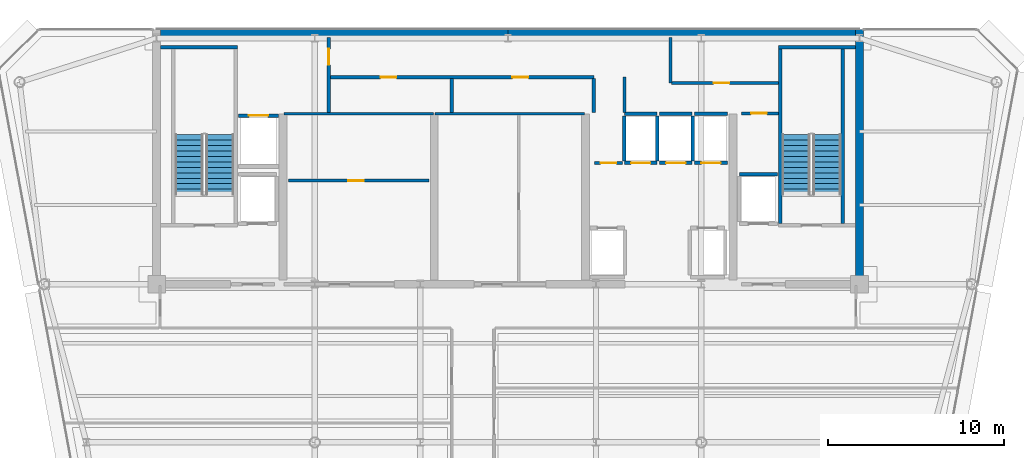
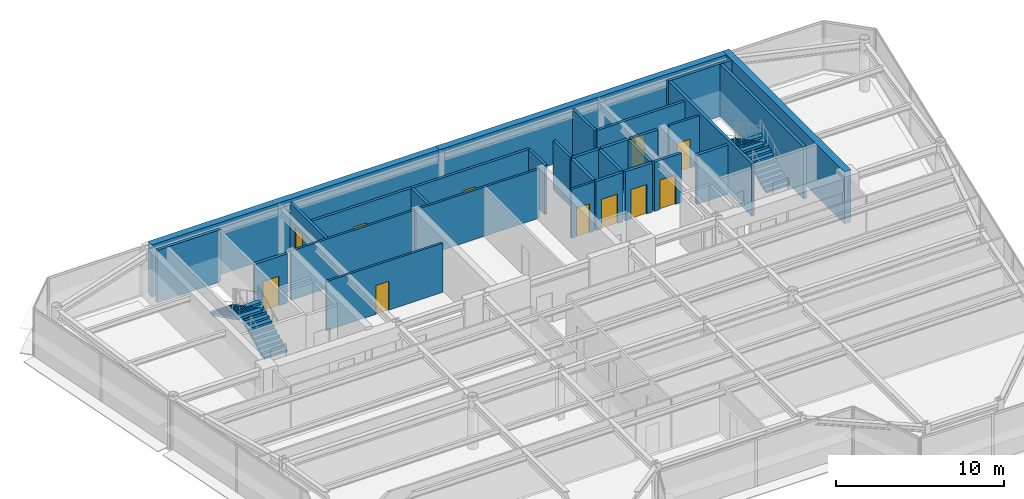
# One storey, part 11 of 18: 30 walls, 11 doors, 4 stair flights, 11 openings, 2 elements without a shape of their own.
"""IFC4 building model written with IfcOpenShell, lengths in metres."""

import ifcopenshell
import ifcopenshell.guid

model = None  # the IFC model being written
_history = None  # IfcOwnerHistory: only IFC2X3 demands one
_inside = {}  # id of a spatial element -> (the spatial element, [elements in it])
_under = {}  # id of a project, library or spatial element -> (it, [spatial elements below it])
_declared = {}  # id of a project -> (the project, [libraries it declares])
_typed = {}  # id of a type object -> (the type object, [elements of that type])
_made_of = {}  # id of a material, layer set ... -> (it, [elements and type objects made of it])


def new_model(schema):
    """Start an empty IFC model of exactly this schema.

    Asked for "IFC4X3", IfcOpenShell would pick the latest addendum, in which some entities
    have other attributes; the version numbers below select the first issue.
    IFC2X3 requires an IfcOwnerHistory on every rooted entity: one is made here for all.
    """
    global model, _history
    if schema == "IFC4X3":
        model = ifcopenshell.file(schema_version=(4, 3, 0, 0))
    else:
        model = ifcopenshell.file(schema=schema)
    _inside.clear()
    _under.clear()
    _declared.clear()
    _typed.clear()
    _made_of.clear()
    _history = None
    if model.schema == "IFC2X3":
        org = make("IfcOrganization", Name="unknown")
        user = make(
            "IfcPersonAndOrganization",
            ThePerson=make("IfcPerson", FamilyName="unknown"),
            TheOrganization=org,
        )
        app = make(
            "IfcApplication",
            ApplicationDeveloper=org,
            Version="unknown",
            ApplicationFullName="unknown",
            ApplicationIdentifier="unknown",
        )
        _history = make(
            "IfcOwnerHistory",
            OwningUser=user,
            OwningApplication=app,
            ChangeAction="ADDED",
            CreationDate=0,
        )
    return model


def make(cls, **values):
    """One entity of the class cls with the attributes given. An attribute that is None is left unset."""
    return model.create_entity(
        cls, **{name: value for name, value in values.items() if value is not None}
    )


def rooted(cls, **values):
    """An entity with a GlobalId (a new one), such as an element, a storey or a relation."""
    return make(cls, GlobalId=ifcopenshell.guid.new(), OwnerHistory=_history, **values)


def si_unit(unit_type, name, prefix=None):
    """IfcSIUnit, for example si_unit("LENGTHUNIT", "METRE", prefix="MILLI")."""
    return make("IfcSIUnit", UnitType=unit_type, Prefix=prefix, Name=name)


def assignment(units):
    """IfcUnitAssignment: the units of a project."""
    return None if units is None else make("IfcUnitAssignment", Units=units)


def point(xyz):
    """IfcCartesianPoint."""
    return None if xyz is None else make("IfcCartesianPoint", Coordinates=xyz)


def direction(xyz):
    """IfcDirection."""
    return None if xyz is None else make("IfcDirection", DirectionRatios=xyz)


def frame(location, z_axis=None, x_axis=None):
    """IfcAxis2Placement3D, a coordinate frame: its origin and axes. An axis left out is left unset."""
    return make(
        "IfcAxis2Placement3D",
        Location=point(location),
        Axis=direction(z_axis),
        RefDirection=direction(x_axis),
    )


def frame_2d(location, x_axis=None):
    """IfcAxis2Placement2D, a coordinate frame in the plane: its origin and x axis."""
    return make(
        "IfcAxis2Placement2D", Location=point(location), RefDirection=direction(x_axis)
    )


def origin():
    """The frame at (0, 0, 0) with its axes left unset."""
    return frame((0.0, 0.0, 0.0))


def place(relative_to, where):
    """IfcLocalPlacement: puts the frame where relative to a parent placement (None: the world)."""
    return make(
        "IfcLocalPlacement", PlacementRelTo=relative_to, RelativePlacement=where
    )


def context(
    kind, dimensions, precision=None, world=None, true_north=None, identifier=None
):
    """IfcGeometricRepresentationContext, for example the 3D "Model" context."""
    return make(
        "IfcGeometricRepresentationContext",
        ContextIdentifier=identifier,
        ContextType=kind,
        CoordinateSpaceDimension=dimensions,
        Precision=precision,
        WorldCoordinateSystem=world,
        TrueNorth=true_north,
    )


def subcontext(parent, identifier, kind, view, scale=None):
    """IfcGeometricRepresentationSubContext, for example "Body" below "Model"."""
    return make(
        "IfcGeometricRepresentationSubContext",
        ContextIdentifier=identifier,
        ContextType=kind,
        ParentContext=parent,
        TargetScale=scale,
        TargetView=view,
    )


def project(units=None, contexts=None):
    """IfcProject with its units and contexts."""
    return rooted(
        "IfcProject",
        Name="project",
        RepresentationContexts=contexts,
        UnitsInContext=assignment(units),
    )


def spatial(cls, under=None, at=None, **own):
    """A site, building, storey or space (cls), placed at a placement, below another one or the project."""
    s = rooted(cls, ObjectPlacement=at, **own)
    if under is not None:
        _under.setdefault(under.id(), (under, []))[1].append(s)
    return s


def polyline(points):
    """IfcPolyline through the points."""
    return make("IfcPolyline", Points=[point(p) for p in points])


def profile(cls, at=None, kind="AREA", **sizes):
    """A parametric profile (cls). Its sizes go by their IFC names, for example OverallWidth=200.0."""
    return make(cls, ProfileType=kind, Position=at, **sizes)


def rectangle(**sizes):
    """IfcRectangleProfileDef."""
    return profile("IfcRectangleProfileDef", **sizes)


def outline(outer, holes=None, kind="AREA"):
    """IfcArbitraryClosedProfileDef: a profile drawn as a closed curve; with holes, ...WithVoids."""
    if holes is None:
        return make("IfcArbitraryClosedProfileDef", ProfileType=kind, OuterCurve=outer)
    return make(
        "IfcArbitraryProfileDefWithVoids",
        ProfileType=kind,
        OuterCurve=outer,
        InnerCurves=holes,
    )


def extrude(swept, where, along, depth):
    """IfcExtrudedAreaSolid: the profile swept, set in the frame where, extruded along a direction by depth."""
    return make(
        "IfcExtrudedAreaSolid",
        SweptArea=swept,
        Position=where,
        ExtrudedDirection=direction(along),
        Depth=depth,
    )


def shape(context_of_items, identifier, shape_type, items):
    """IfcShapeRepresentation: the items that make up one representation, for example the "Body"."""
    return make(
        "IfcShapeRepresentation",
        ContextOfItems=context_of_items,
        RepresentationIdentifier=identifier,
        RepresentationType=shape_type,
        Items=items,
    )


def source(mapping_origin, context_of_items, identifier, shape_type, items):
    """IfcRepresentationMap: a shape defined once, which mapped items show again and again."""
    return make(
        "IfcRepresentationMap",
        MappingOrigin=mapping_origin,
        MappedRepresentation=shape(context_of_items, identifier, shape_type, items),
    )


def transform(
    local_origin,
    x_axis=None,
    y_axis=None,
    z_axis=None,
    scale=None,
    scale2=None,
    scale3=None,
    uniform=True,
):
    """IfcCartesianTransformationOperator3D, or its non-uniform kind. x_axis, y_axis, z_axis: its Axis1, 2, 3."""
    if uniform:
        return make(
            "IfcCartesianTransformationOperator3D",
            Axis1=direction(x_axis),
            Axis2=direction(y_axis),
            LocalOrigin=point(local_origin),
            Scale=scale,
            Axis3=direction(z_axis),
        )
    return make(
        "IfcCartesianTransformationOperator3DnonUniform",
        Axis1=direction(x_axis),
        Axis2=direction(y_axis),
        LocalOrigin=point(local_origin),
        Scale=scale,
        Axis3=direction(z_axis),
        Scale2=scale2,
        Scale3=scale3,
    )


def mapped(mapping_source, mapping_target):
    """IfcMappedItem: shows the shape of a source again, moved by a transform."""
    return make(
        "IfcMappedItem", MappingSource=mapping_source, MappingTarget=mapping_target
    )


def material(Name=None, Category=None):
    """IfcMaterial."""
    return make("IfcMaterial", Name=Name, Category=Category)


def layer(
    of_material, thickness, ventilated=None, Name=None, Category=None, Priority=None
):
    """IfcMaterialLayer: one layer of a wall or slab, of a material (None: an air gap)."""
    return make(
        "IfcMaterialLayer",
        Material=of_material,
        LayerThickness=thickness,
        IsVentilated=ventilated,
        Name=Name,
        Category=Category,
        Priority=Priority,
    )


def layer_set(layers, Name=None):
    """IfcMaterialLayerSet."""
    return make("IfcMaterialLayerSet", MaterialLayers=layers, LayerSetName=Name)


def made_of(thing, what):
    """Note that an element or type object is made of a material, layer set ...; save() writes the relation."""
    if what is not None:
        _made_of.setdefault(what.id(), (what, []))[1].append(thing)
    return thing


def type_object(cls, material=None, **own):
    """A type object (cls), such as IfcWallType, which elements share."""
    return made_of(rooted(cls, **own), material)


def element(
    cls,
    number,
    at=None,
    inside=None,
    cuts=None,
    type_object=None,
    material=None,
    context=None,
    identifier="Body",
    shape_type=None,
    held_by="IfcProductDefinitionShape",
    body=None,
    shapes=None,
    **own,
):
    """One element of the class cls, such as IfcWall. Its Tag is "e" and its number.

    at: its placement. inside: the storey or other place that contains it. cuts: it is an
    opening in that element (IfcRelVoidsElement). A single representation is given by context,
    identifier, shape_type and body (its items); several are given by shapes. held_by: the class
    of the entity that holds the representations. save() writes the other relations.
    """
    e = rooted(cls, Tag="e%d" % number, ObjectPlacement=at, **own)
    if body is not None:
        shapes = [shape(context, identifier, shape_type, body)]
    if shapes is not None:
        e.Representation = make(held_by, Representations=shapes)
    if inside is not None:
        _inside.setdefault(inside.id(), (inside, []))[1].append(e)
    if cuts is not None:
        rooted(
            "IfcRelVoidsElement", RelatingBuildingElement=cuts, RelatedOpeningElement=e
        )
    if type_object is not None:
        _typed.setdefault(type_object.id(), (type_object, []))[1].append(e)
    return made_of(e, material)


def fill(opening, filler):
    """IfcRelFillsElement: the door or window that sits in an opening."""
    return rooted(
        "IfcRelFillsElement",
        RelatingOpeningElement=opening,
        RelatedBuildingElement=filler,
    )


def aggregate(whole, parts):
    """IfcRelAggregates: a whole, such as a stair, and the parts it consists of."""
    return rooted("IfcRelAggregates", RelatingObject=whole, RelatedObjects=parts)


def save(model, path):
    """Write the relations noted so far, then the file.

    IfcRelAggregates (storeys below a building ...), IfcRelContainedInSpatialStructure (elements
    in a storey), IfcRelDefinesByType, IfcRelAssociatesMaterial and IfcRelDeclares: one each for
    every whole, place, type object, material and project.
    """
    for whole, parts in _under.values():
        aggregate(whole, parts)
    for where, things in _inside.values():
        rooted(
            "IfcRelContainedInSpatialStructure",
            RelatedElements=things,
            RelatingStructure=where,
        )
    for kind, things in _typed.values():
        rooted("IfcRelDefinesByType", RelatedObjects=things, RelatingType=kind)
    for what, things in _made_of.values():
        rooted("IfcRelAssociatesMaterial", RelatedObjects=things, RelatingMaterial=what)
    for by, libraries in _declared.values():
        rooted("IfcRelDeclares", RelatingContext=by, RelatedDefinitions=libraries)
    model.write(path)


model = new_model("IFC4")

# Units and contexts
model_context = context("Model", 3, precision=1e-05, world=origin(), true_north=direction((0.0, 1.0)))
body_context = subcontext(model_context, "Body", "Model", "MODEL_VIEW")
ifc_project = project(units=[si_unit("LENGTHUNIT", "METRE"), si_unit("AREAUNIT", "SQUARE_METRE"), si_unit("VOLUMEUNIT", "CUBIC_METRE"), si_unit("PLANEANGLEUNIT", "RADIAN"), si_unit("MASSUNIT", "GRAM", prefix="KILO")], contexts=[model_context])

# Site, building, storey
site_placement = place(None, origin())
site = spatial("IfcSite", under=ifc_project, at=site_placement, CompositionType="ELEMENT")
building_placement = place(site_placement, origin())
building = spatial("IfcBuilding", under=site, at=building_placement, Name="Vaeldorn Concourse Tower", CompositionType="ELEMENT")
storey_placement = place(building_placement, frame((0.0, 0.0, 261.199951171875)))
storey = spatial("IfcBuildingStorey", under=building, at=storey_placement, Name="L67", CompositionType="ELEMENT", Elevation=261.199951171875)

# Walls
ifc_material_1 = material(Name="Concrete C50/60", Category="concrete")
ifc_layer_1 = layer(ifc_material_1, 0.449951171875)
ifc_layer_set_1 = layer_set([ifc_layer_1], Name="Concrete C50/60")
wall_type_1 = type_object("IfcWallType", Name="WL-CORE-450", PredefinedType="SHEAR", material=ifc_layer_set_1)
for number, where, z_axis, x_axis, name in (
    (1, (14.22900390625, 50.77490234375, 0.0), (0.0, 0.0, 1.0), (1.0, 0.0, 0.0), "Rear Core Shear Wall L67 N1"),
    (2, (34.001953125, 50.77490234375, 0.0), (0.0, 0.0, 1.0), (1.0, 0.0, 0.0), "Rear Core Shear Wall L67 N2"),
):
    element("IfcWall", number, at=place(storey_placement, frame(where, z_axis=z_axis, x_axis=x_axis)), inside=storey, type_object=wall_type_1, Name=name, PredefinedType="SHEAR", context=body_context, shape_type="SweptSolid", body=[
        extrude(rectangle(XDim=19.76904296875, YDim=0.449951171875, at=frame_2d((9.884521484375, 0.0))), origin(), (0.0, 0.0, 1.0), 3.800048828125),
    ])
wall_1_placement = place(storey_placement, frame((54.0, 36.5, 0.0), z_axis=(0.0, 0.0, 1.0), x_axis=(0.0, 1.0, 0.0)))
element("IfcWall", 3, at=wall_1_placement, inside=storey, type_object=wall_type_1, Name="Rear Core Shear Wall L67 E1", PredefinedType="SHEAR", context=body_context, shape_type="SweptSolid", body=[
    extrude(rectangle(XDim=14.5, YDim=0.449951171875, at=frame_2d((7.25, 0.0))), origin(), (0.0, 0.0, 1.0), 3.800048828125),
])
ifc_material_2 = material(Name="Gypsum Board Partition", Category="gypsum")
ifc_layer_2 = layer(ifc_material_2, 0.14990234375)
ifc_layer_set_2 = layer_set([ifc_layer_2], Name="Gypsum Board Partition")
wall_type_2 = type_object("IfcWallType", Name="WL-PART-150", PredefinedType="PARTITIONING", material=ifc_layer_set_2)
wall_2_placement = place(storey_placement, frame((21.25, 46.199951171875, 0.0), z_axis=(0.0, 0.0, 1.0), x_axis=(1.0, 0.0, 0.0)))
element("IfcWall", 4, at=wall_2_placement, inside=storey, type_object=wall_type_2, Name="Interior Wall CW-L67-R1N", PredefinedType="PARTITIONING", context=body_context, shape_type="SweptSolid", body=[
    extrude(rectangle(XDim=8.5, YDim=0.14990234375, at=frame_2d((4.25, 0.0))), origin(), (0.0, 0.0, 1.0), 3.580078125),
])

# Wall, opening, door
wall_3_placement = place(storey_placement, frame((21.5, 42.39990234375, 0.0), z_axis=(0.0, 0.0, 1.0), x_axis=(1.0, 0.0, 0.0)))
wall_3 = element("IfcWall", 5, at=wall_3_placement, inside=storey, type_object=wall_type_2, Name="Interior Wall CW-L67-R1M", PredefinedType="PARTITIONING", context=body_context, shape_type="SweptSolid", body=[
    extrude(rectangle(XDim=8.0, YDim=0.14990234375, at=frame_2d((4.0, 0.0))), origin(), (0.0, 0.0, 1.0), 3.580078125),
])
opening_1_placement = place(wall_3_placement, frame((3.39990234375, 0.0, 0.0)))
opening_1 = element("IfcOpeningElement", 6, at=opening_1_placement, cuts=wall_3, Name="Opening D-02", PredefinedType="OPENING", context=body_context, shape_type="SweptSolid", body=[
    extrude(rectangle(XDim=0.89990234375, YDim=2.10009765625, at=frame_2d((0.449951171875, 1.050048828125))), frame((0.0, 0.0849609375, 0.0), z_axis=(0.0, -1.0, 0.0), x_axis=(1.0, 0.0, 0.0)), (0.0, 0.0, 1.0), 0.169921875),
])
ifc_material_3 = material(Name="Fire-Rated Timber Leaf", Category="wood")
door_type_1 = type_object("IfcDoorType", Name="DR-FD30-900", OperationType="NOTDEFINED", PredefinedType="DOOR", material=ifc_material_3)
shared_shape_1 = source(origin(), body_context, "Body", "SweptSolid", [
    extrude(rectangle(XDim=0.89990234375, YDim=2.10009765625, at=frame_2d((0.449951171875, 1.050048828125))), frame((0.0, 0.02490234375, 0.0), z_axis=(0.0, -1.0, 0.0), x_axis=(1.0, 0.0, 0.0)), (0.0, 0.0, 1.0), 0.050048828125),
])
door_1_placement = place(opening_1_placement, origin())
door_1 = element("IfcDoor", 7, at=door_1_placement, inside=storey, type_object=door_type_1, Name="Interior Door DR-L67-R1M", OperationType="SINGLE_SWING_RIGHT", OverallHeight=2.10009765625, OverallWidth=0.89990234375, PredefinedType="DOOR", context=body_context, shape_type="MappedRepresentation", body=[
    mapped(shared_shape_1, transform((0.0, 0.0, 0.0), scale=1.0)),
])
fill(opening_1, door_1)

# Wall
wall_4_placement = place(storey_placement, frame((29.85009765625, 46.199951171875, 0.0), z_axis=(0.0, 0.0, 1.0), x_axis=(1.0, 0.0, 0.0)))
element("IfcWall", 8, at=wall_4_placement, inside=storey, type_object=wall_type_2, Name="Interior Wall CW-L67-R2N", PredefinedType="PARTITIONING", context=body_context, shape_type="SweptSolid", body=[
    extrude(rectangle(XDim=8.5, YDim=0.14990234375, at=frame_2d((4.25, 0.0))), origin(), (0.0, 0.0, 1.0), 3.580078125),
])

# Wall, opening, door
wall_5_placement = place(storey_placement, frame((47.280029296875, 46.219970703125, 0.0), z_axis=(0.0, 0.0, 1.0), x_axis=(1.0, 0.0, 0.0)))
wall_5 = element("IfcWall", 9, at=wall_5_placement, inside=storey, type_object=wall_type_2, Name="Interior Wall CW-L67-CRSE-N", PredefinedType="PARTITIONING", context=body_context, shape_type="SweptSolid", body=[
    extrude(rectangle(XDim=2.099853515625, YDim=0.14990234375, at=frame_2d((1.0498046875, 0.0))), origin(), (0.0, 0.0, 1.0), 3.580078125),
])
opening_2_placement = place(wall_5_placement, frame((0.550048828125, 0.0, 0.0)))
opening_2 = element("IfcOpeningElement", 10, at=opening_2_placement, cuts=wall_5, Name="Opening D-02", PredefinedType="OPENING", context=body_context, shape_type="SweptSolid", body=[
    extrude(rectangle(XDim=0.89990234375, YDim=2.10009765625, at=frame_2d((0.449951171875, 1.050048828125))), frame((0.0, 0.0849609375, 0.0), z_axis=(0.0, -1.0, 0.0), x_axis=(1.0, 0.0, 0.0)), (0.0, 0.0, 1.0), 0.169921875),
])
door_2_placement = place(opening_2_placement, origin())
door_2 = element("IfcDoor", 11, at=door_2_placement, inside=storey, type_object=door_type_1, Name="Interior Door DR-L67-CRSE", OperationType="SINGLE_SWING_RIGHT", OverallHeight=2.10009765625, OverallWidth=0.89990234375, PredefinedType="DOOR", context=body_context, shape_type="MappedRepresentation", body=[
    mapped(shared_shape_1, transform((0.0, 0.0, 0.0), scale=1.0)),
])
fill(opening_2, door_2)

wall_6_placement = place(storey_placement, frame((38.919921875, 43.39990234375, 0.0), z_axis=(0.0, 0.0, 1.0), x_axis=(1.0, 0.0, 0.0)))
wall_6 = element("IfcWall", 12, at=wall_6_placement, inside=storey, type_object=wall_type_2, Name="Interior Wall CW-L67-CCLINK", PredefinedType="PARTITIONING", context=body_context, shape_type="SweptSolid", body=[
    extrude(rectangle(XDim=1.60009765625, YDim=0.14990234375, at=frame_2d((0.800048828125, 0.0))), origin(), (0.0, 0.0, 1.0), 3.580078125),
])
opening_3_placement = place(wall_6_placement, frame((0.35009765625, 0.0, 0.0)))
opening_3 = element("IfcOpeningElement", 13, at=opening_3_placement, cuts=wall_6, Name="Opening D-02", PredefinedType="OPENING", context=body_context, shape_type="SweptSolid", body=[
    extrude(rectangle(XDim=0.89990234375, YDim=2.10009765625, at=frame_2d((0.449951171875, 1.050048828125))), frame((0.0, 0.0849609375, 0.0), z_axis=(0.0, -1.0, 0.0), x_axis=(1.0, 0.0, 0.0)), (0.0, 0.0, 1.0), 0.169921875),
])
door_3_placement = place(opening_3_placement, origin())
door_3 = element("IfcDoor", 14, at=door_3_placement, inside=storey, type_object=door_type_1, Name="Interior Door DR-L67-CCLINK", OperationType="SINGLE_SWING_LEFT", OverallHeight=2.10009765625, OverallWidth=0.89990234375, PredefinedType="DOOR", context=body_context, shape_type="MappedRepresentation", body=[
    mapped(shared_shape_1, transform((0.0, 0.0, 0.0), scale=1.0)),
])
fill(opening_3, door_3)

# Wall, openings, doors
ifc_layer_3 = layer(ifc_material_2, 0.179931640625)
ifc_layer_set_3 = layer_set([ifc_layer_3], Name="Gypsum Board Partition")
wall_type_3 = type_object("IfcWallType", Name="WL-PLUMB-180", PredefinedType="PLUMBINGWALL", material=ifc_layer_set_3)
wall_7_placement = place(storey_placement, frame((23.85009765625, 48.280029296875, 0.0), z_axis=(0.0, 0.0, 1.0), x_axis=(1.0, 0.0, 0.0)))
wall_7 = element("IfcWall", 15, at=wall_7_placement, inside=storey, type_object=wall_type_3, Name="Interior Wall CW-L67-NS2W", PredefinedType="PLUMBINGWALL", context=body_context, shape_type="SweptSolid", body=[
    extrude(rectangle(XDim=15.02978515625, YDim=0.179931640625, at=frame_2d((7.514892578125, 0.0))), origin(), (0.0, 0.0, 1.0), 3.580078125),
])
opening_4_placement = place(wall_7_placement, frame((2.89990234375, 0.0, 0.0)))
opening_4 = element("IfcOpeningElement", 16, at=opening_4_placement, cuts=wall_7, Name="Opening D-03", PredefinedType="OPENING", context=body_context, shape_type="SweptSolid", body=[
    extrude(rectangle(XDim=0.89990234375, YDim=2.14990234375, at=frame_2d((0.449951171875, 1.074951171875))), frame((0.0, 0.10009765625, 0.0), z_axis=(0.0, -1.0, 0.0), x_axis=(1.0, 0.0, 0.0)), (0.0, 0.0, 1.0), 0.199951171875),
])
opening_5_placement = place(wall_7_placement, frame((10.39990234375, 0.0, 0.0)))
opening_5 = element("IfcOpeningElement", 17, at=opening_5_placement, cuts=wall_7, Name="Opening D-03", PredefinedType="OPENING", context=body_context, shape_type="SweptSolid", body=[
    extrude(rectangle(XDim=0.89990234375, YDim=2.14990234375, at=frame_2d((0.449951171875, 1.074951171875))), frame((0.0, 0.10009765625, 0.0), z_axis=(0.0, -1.0, 0.0), x_axis=(1.0, 0.0, 0.0)), (0.0, 0.0, 1.0), 0.199951171875),
])
ifc_material_4 = material(Name="Acoustic Bronze-Framed Glass Door", Category="glass")
door_type_2 = type_object("IfcDoorType", Name="DR-INT-900", OperationType="NOTDEFINED", PredefinedType="DOOR", material=ifc_material_4)
shared_shape_2 = source(origin(), body_context, "Body", "SweptSolid", [
    extrude(rectangle(XDim=0.89990234375, YDim=2.14990234375, at=frame_2d((0.449951171875, 1.074951171875))), frame((0.0, 0.02490234375, 0.0), z_axis=(0.0, -1.0, 0.0), x_axis=(1.0, 0.0, 0.0)), (0.0, 0.0, 1.0), 0.050048828125),
])
door_4_placement = place(opening_4_placement, origin())
door_4 = element("IfcDoor", 18, at=door_4_placement, inside=storey, type_object=door_type_2, Name="Interior Door DR-L67-CS2", OperationType="SINGLE_SWING_RIGHT", OverallHeight=2.14990234375, OverallWidth=0.89990234375, PredefinedType="DOOR", context=body_context, shape_type="MappedRepresentation", body=[
    mapped(shared_shape_2, transform((0.0, 0.0, 0.0), scale=1.0)),
])
fill(opening_4, door_4)
door_5_placement = place(opening_5_placement, origin())
door_5 = element("IfcDoor", 19, at=door_5_placement, inside=storey, type_object=door_type_2, Name="Interior Door DR-L67-CS3", OperationType="SINGLE_SWING_LEFT", OverallHeight=2.14990234375, OverallWidth=0.89990234375, PredefinedType="DOOR", context=body_context, shape_type="MappedRepresentation", body=[
    mapped(shared_shape_2, transform((0.0, 0.0, 0.0), scale=1.0)),
])
fill(opening_5, door_5)

# Wall, opening, door
wall_8_placement = place(storey_placement, frame((23.800048828125, 46.280029296875, 0.0), z_axis=(0.0, 0.0, 1.0), x_axis=(0.0, 1.0, 0.0)))
wall_8 = element("IfcWall", 20, at=wall_8_placement, inside=storey, type_object=wall_type_3, Name="Interior Wall CW-L67-SDIV1", PredefinedType="PLUMBINGWALL", context=body_context, shape_type="SweptSolid", body=[
    extrude(rectangle(XDim=4.25, YDim=0.179931640625, at=frame_2d((2.125, 0.0))), origin(), (0.0, 0.0, 1.0), 3.580078125),
])
opening_6_placement = place(wall_8_placement, frame((2.7099609375, 0.0, 0.0)))
opening_6 = element("IfcOpeningElement", 21, at=opening_6_placement, cuts=wall_8, Name="Opening D-03", PredefinedType="OPENING", context=body_context, shape_type="SweptSolid", body=[
    extrude(rectangle(XDim=0.89990234375, YDim=2.14990234375, at=frame_2d((0.449951171875, 1.074951171875))), frame((0.0, 0.10009765625, 0.0), z_axis=(0.0, -1.0, 0.0), x_axis=(1.0, 0.0, 0.0)), (0.0, 0.0, 1.0), 0.199951171875),
])
door_6_placement = place(opening_6_placement, origin())
door_6 = element("IfcDoor", 22, at=door_6_placement, inside=storey, type_object=door_type_2, Name="Interior Door DR-L67-CS1", OperationType="SINGLE_SWING_LEFT", OverallHeight=2.14990234375, OverallWidth=0.89990234375, PredefinedType="DOOR", context=body_context, shape_type="MappedRepresentation", body=[
    mapped(shared_shape_2, transform((0.0, 0.0, 0.0), scale=1.0)),
])
fill(opening_6, door_6)

# Walls
for number, where, z_axis, x_axis, name in (
    (23, (30.800048828125, 46.280029296875, 0.0), (0.0, 0.0, 1.0), (0.0, 1.0, 0.0), "Interior Wall CW-L67-SDIV2"),
    (24, (38.8798828125, 46.280029296875, 0.0), (0.0, 0.0, 1.0), (0.0, 1.0, 0.0), "Interior Wall CW-L67-SDIV4"),
):
    element("IfcWall", number, at=place(storey_placement, frame(where, z_axis=z_axis, x_axis=x_axis)), inside=storey, type_object=wall_type_3, Name=name, PredefinedType="PLUMBINGWALL", context=body_context, shape_type="SweptSolid", body=[
        extrude(rectangle(XDim=1.93994140625, YDim=0.179931640625, at=frame_2d((0.969970703125, 0.0))), origin(), (0.0, 0.0, 1.0), 3.580078125),
    ])
wall_9_placement = place(storey_placement, frame((40.6201171875, 46.280029296875, 0.0), z_axis=(0.0, 0.0, 1.0), x_axis=(0.0, 1.0, 0.0)))
element("IfcWall", 25, at=wall_9_placement, inside=storey, type_object=wall_type_3, Name="Interior Wall CW-L67-SDIV5", PredefinedType="PLUMBINGWALL", context=body_context, shape_type="SweptSolid", body=[
    extrude(rectangle(XDim=2.0, YDim=0.179931640625, at=frame_2d((1.0, 0.0))), origin(), (0.0, 0.0, 1.0), 3.580078125),
])
wall_10_placement = place(storey_placement, frame((43.25, 47.949951171875, 0.0), z_axis=(0.0, 0.0, 1.0), x_axis=(0.0, 1.0, 0.0)))
element("IfcWall", 26, at=wall_10_placement, inside=storey, type_object=wall_type_3, Name="Interior Wall CW-L67-SDIV6", PredefinedType="PLUMBINGWALL", context=body_context, shape_type="SweptSolid", body=[
    extrude(rectangle(XDim=2.580078125, YDim=0.179931640625, at=frame_2d((1.2900390625, 0.0))), origin(), (0.0, 0.0, 1.0), 3.580078125),
])

# Wall, opening, door
wall_11_placement = place(storey_placement, frame((43.300048828125, 47.949951171875, 0.0), z_axis=(0.0, 0.0, 1.0), x_axis=(1.0, 0.0, 0.0)))
wall_11 = element("IfcWall", 27, at=wall_11_placement, inside=storey, type_object=wall_type_3, Name="Interior Wall CW-L67-NS2EE", PredefinedType="PLUMBINGWALL", context=body_context, shape_type="SweptSolid", body=[
    extrude(rectangle(XDim=6.079833984375, YDim=0.179931640625, at=frame_2d((3.0400390625, 0.0))), origin(), (0.0, 0.0, 1.0), 3.580078125),
])
opening_7_placement = place(wall_11_placement, frame((2.39990234375, 0.0, 0.0)))
opening_7 = element("IfcOpeningElement", 28, at=opening_7_placement, cuts=wall_11, Name="Opening D-03", PredefinedType="OPENING", context=body_context, shape_type="SweptSolid", body=[
    extrude(rectangle(XDim=0.89990234375, YDim=2.14990234375, at=frame_2d((0.449951171875, 1.074951171875))), frame((0.0, 0.10009765625, 0.0), z_axis=(0.0, -1.0, 0.0), x_axis=(1.0, 0.0, 0.0)), (0.0, 0.0, 1.0), 0.199951171875),
])
door_7_placement = place(opening_7_placement, origin())
door_7 = element("IfcDoor", 29, at=door_7_placement, inside=storey, type_object=door_type_2, Name="Interior Door DR-L67-CS5", OperationType="SINGLE_SWING_RIGHT", OverallHeight=2.14990234375, OverallWidth=0.89990234375, PredefinedType="DOOR", context=body_context, shape_type="MappedRepresentation", body=[
    mapped(shared_shape_2, transform((0.0, 0.0, 0.0), scale=1.0)),
])
fill(opening_7, door_7)

# Walls
ifc_layer_4 = layer(ifc_material_1, 0.199951171875)
ifc_layer_set_4 = layer_set([ifc_layer_4], Name="Concrete C50/60")
wall_type_4 = type_object("IfcWallType", Name="WL-SHAFT-200", PredefinedType="SOLIDWALL", material=ifc_layer_set_4)
for number, where, z_axis, x_axis, name in (
    (30, (14.22509765625, 50.0, 0.0), (0.0, 0.0, 1.0), (1.0, 0.0, 0.0), "Stair Shaft Wall CW-L67-ST-1-N"),
    (31, (49.39990234375, 50.0, 0.0), (0.0, 0.0, 1.0), (1.0, 0.0, 0.0), "Stair Shaft Wall CW-L67-ST-2-N"),
):
    element("IfcWall", number, at=place(storey_placement, frame(where, z_axis=z_axis, x_axis=x_axis)), inside=storey, type_object=wall_type_4, Name=name, PredefinedType="SOLIDWALL", context=body_context, shape_type="SweptSolid", body=[
        extrude(rectangle(XDim=4.375, YDim=0.199951171875, at=frame_2d((2.1875, 0.0))), origin(), (0.0, 0.0, 1.0), 3.800048828125),
    ])
for number, where, z_axis, x_axis, name in (
    (32, (49.5, 39.9599609375, 0.0), (0.0, 0.0, 1.0), (0.0, 1.0, 0.0), "Stair Shaft Wall CW-L67-ST-2-W"),
    (33, (53.050048828125, 39.9599609375, 0.0), (0.0, 0.0, 1.0), (0.0, 1.0, 0.0), "Stair Shaft Wall CW-L67-ST-2-E"),
):
    element("IfcWall", number, at=place(storey_placement, frame(where, z_axis=z_axis, x_axis=x_axis)), inside=storey, type_object=wall_type_4, Name=name, PredefinedType="SOLIDWALL", context=body_context, shape_type="SweptSolid", body=[
        extrude(rectangle(XDim=9.929931640625, YDim=0.199951171875, at=frame_2d((4.96484375, 0.0))), origin(), (0.0, 0.0, 1.0), 3.800048828125),
    ])

# Wall, opening, door
wall_12_placement = place(storey_placement, frame((40.6201171875, 43.39990234375, 0.0), z_axis=(0.0, 0.0, 1.0), x_axis=(1.0, 0.0, 0.0)))
wall_12 = element("IfcWall", 34, at=wall_12_placement, inside=storey, type_object=wall_type_4, Name="Interior Wall CW-L67-LF-LF-15", PredefinedType="SOLIDWALL", context=body_context, shape_type="SweptSolid", body=[
    extrude(rectangle(XDim=1.85986328125, YDim=0.199951171875, at=frame_2d((0.929931640625, 0.0))), origin(), (0.0, 0.0, 1.0), 3.580078125),
])
opening_8_placement = place(wall_12_placement, frame((0.3798828125, 0.0, 0.0)))
opening_8 = element("IfcOpeningElement", 35, at=opening_8_placement, cuts=wall_12, Name="Opening LD-1", PredefinedType="OPENING", context=body_context, shape_type="SweptSolid", body=[
    extrude(rectangle(XDim=1.10009765625, YDim=2.14990234375, at=frame_2d((0.550048828125, 1.074951171875))), frame((0.0, 0.10986328125, 0.0), z_axis=(0.0, -1.0, 0.0), x_axis=(1.0, 0.0, 0.0)), (0.0, 0.0, 1.0), 0.219970703125),
])
ifc_material_5 = material(Name="Anodised Bronze Aluminium", Category="aluminium")
door_type_3 = type_object("IfcDoorType", Name="DR-LIFT-SLIDE-1100", OperationType="DOUBLE_DOOR_SLIDING", PredefinedType="DOOR", material=ifc_material_5)
shared_shape_3 = source(origin(), body_context, "Body", "SweptSolid", [
    extrude(rectangle(XDim=1.10009765625, YDim=2.14990234375, at=frame_2d((0.550048828125, 1.074951171875))), frame((0.0, 0.02490234375, 0.0), z_axis=(0.0, -1.0, 0.0), x_axis=(1.0, 0.0, 0.0)), (0.0, 0.0, 1.0), 0.050048828125),
])
door_8_placement = place(opening_8_placement, origin())
door_8 = element("IfcDoor", 36, at=door_8_placement, inside=storey, type_object=door_type_3, Name="Lift Landing Door LD-L67-LF-15", OperationType="DOUBLE_DOOR_SLIDING", OverallHeight=2.14990234375, OverallWidth=1.10009765625, PredefinedType="DOOR", context=body_context, shape_type="MappedRepresentation", body=[
    mapped(shared_shape_3, transform((0.0, 0.0, 0.0), scale=1.0)),
])
fill(opening_8, door_8)

# Walls
wall_13_placement = place(storey_placement, frame((40.6201171875, 46.199951171875, 0.0), z_axis=(0.0, 0.0, 1.0), x_axis=(1.0, 0.0, 0.0)))
element("IfcWall", 37, at=wall_13_placement, inside=storey, type_object=wall_type_4, Name="Interior Wall CW-L67-LFB-LF-15", PredefinedType="SOLIDWALL", context=body_context, shape_type="SweptSolid", body=[
    extrude(rectangle(XDim=1.85986328125, YDim=0.199951171875, at=frame_2d((0.929931640625, 0.0))), origin(), (0.0, 0.0, 1.0), 3.580078125),
])
for number, where, z_axis, x_axis, name in (
    (38, (40.60009765625, 43.52001953125, 0.0), (0.0, 0.0, 1.0), (0.0, 1.0, 0.0), "Interior Wall CW-L67-LFW-LF-15"),
    (39, (42.5, 43.52001953125, 0.0), (0.0, 0.0, 1.0), (0.0, 1.0, 0.0), "Interior Wall CW-L67-LFE-LF-15"),
):
    element("IfcWall", number, at=place(storey_placement, frame(where, z_axis=z_axis, x_axis=x_axis)), inside=storey, type_object=wall_type_4, Name=name, PredefinedType="SOLIDWALL", context=body_context, shape_type="SweptSolid", body=[
        extrude(rectangle(XDim=2.56005859375, YDim=0.199951171875, at=frame_2d((1.280029296875, 0.0))), origin(), (0.0, 0.0, 1.0), 3.580078125),
    ])

# Wall, opening, door
wall_14_placement = place(storey_placement, frame((42.6201171875, 43.39990234375, 0.0), z_axis=(0.0, 0.0, 1.0), x_axis=(1.0, 0.0, 0.0)))
wall_14 = element("IfcWall", 40, at=wall_14_placement, inside=storey, type_object=wall_type_4, Name="Interior Wall CW-L67-LF-LF-16", PredefinedType="SOLIDWALL", context=body_context, shape_type="SweptSolid", body=[
    extrude(rectangle(XDim=1.85986328125, YDim=0.199951171875, at=frame_2d((0.929931640625, 0.0))), origin(), (0.0, 0.0, 1.0), 3.580078125),
])
opening_9_placement = place(wall_14_placement, frame((0.3798828125, 0.0, 0.0)))
opening_9 = element("IfcOpeningElement", 41, at=opening_9_placement, cuts=wall_14, Name="Opening LD-1", PredefinedType="OPENING", context=body_context, shape_type="SweptSolid", body=[
    extrude(rectangle(XDim=1.10009765625, YDim=2.14990234375, at=frame_2d((0.550048828125, 1.074951171875))), frame((0.0, 0.10986328125, 0.0), z_axis=(0.0, -1.0, 0.0), x_axis=(1.0, 0.0, 0.0)), (0.0, 0.0, 1.0), 0.219970703125),
])
door_9_placement = place(opening_9_placement, origin())
door_9 = element("IfcDoor", 42, at=door_9_placement, inside=storey, type_object=door_type_3, Name="Lift Landing Door LD-L67-LF-16", OperationType="DOUBLE_DOOR_SLIDING", OverallHeight=2.14990234375, OverallWidth=1.10009765625, PredefinedType="DOOR", context=body_context, shape_type="MappedRepresentation", body=[
    mapped(shared_shape_3, transform((0.0, 0.0, 0.0), scale=1.0)),
])
fill(opening_9, door_9)

# Walls
wall_15_placement = place(storey_placement, frame((42.6201171875, 46.199951171875, 0.0), z_axis=(0.0, 0.0, 1.0), x_axis=(1.0, 0.0, 0.0)))
element("IfcWall", 43, at=wall_15_placement, inside=storey, type_object=wall_type_4, Name="Interior Wall CW-L67-LFB-LF-16", PredefinedType="SOLIDWALL", context=body_context, shape_type="SweptSolid", body=[
    extrude(rectangle(XDim=1.85986328125, YDim=0.199951171875, at=frame_2d((0.929931640625, 0.0))), origin(), (0.0, 0.0, 1.0), 3.580078125),
])
wall_16_placement = place(storey_placement, frame((44.5, 43.52001953125, 0.0), z_axis=(0.0, 0.0, 1.0), x_axis=(0.0, 1.0, 0.0)))
element("IfcWall", 44, at=wall_16_placement, inside=storey, type_object=wall_type_4, Name="Interior Wall CW-L67-LFE-LF-16", PredefinedType="SOLIDWALL", context=body_context, shape_type="SweptSolid", body=[
    extrude(rectangle(XDim=2.56005859375, YDim=0.199951171875, at=frame_2d((1.280029296875, 0.0))), origin(), (0.0, 0.0, 1.0), 3.580078125),
])

# Wall, opening, door
wall_17_placement = place(storey_placement, frame((44.6201171875, 43.39990234375, 0.0), z_axis=(0.0, 0.0, 1.0), x_axis=(1.0, 0.0, 0.0)))
wall_17 = element("IfcWall", 45, at=wall_17_placement, inside=storey, type_object=wall_type_4, Name="Interior Wall CW-L67-LF-LF-17", PredefinedType="SOLIDWALL", context=body_context, shape_type="SweptSolid", body=[
    extrude(rectangle(XDim=1.85986328125, YDim=0.199951171875, at=frame_2d((0.929931640625, 0.0))), origin(), (0.0, 0.0, 1.0), 3.580078125),
])
opening_10_placement = place(wall_17_placement, frame((0.3798828125, 0.0, 0.0)))
opening_10 = element("IfcOpeningElement", 46, at=opening_10_placement, cuts=wall_17, Name="Opening LD-1", PredefinedType="OPENING", context=body_context, shape_type="SweptSolid", body=[
    extrude(rectangle(XDim=1.10009765625, YDim=2.14990234375, at=frame_2d((0.550048828125, 1.074951171875))), frame((0.0, 0.10986328125, 0.0), z_axis=(0.0, -1.0, 0.0), x_axis=(1.0, 0.0, 0.0)), (0.0, 0.0, 1.0), 0.219970703125),
])
door_10_placement = place(opening_10_placement, origin())
door_10 = element("IfcDoor", 47, at=door_10_placement, inside=storey, type_object=door_type_3, Name="Lift Landing Door LD-L67-LF-17", OperationType="DOUBLE_DOOR_SLIDING", OverallHeight=2.14990234375, OverallWidth=1.10009765625, PredefinedType="DOOR", context=body_context, shape_type="MappedRepresentation", body=[
    mapped(shared_shape_3, transform((0.0, 0.0, 0.0), scale=1.0)),
])
fill(opening_10, door_10)

# Wall
wall_18_placement = place(storey_placement, frame((44.6201171875, 46.199951171875, 0.0), z_axis=(0.0, 0.0, 1.0), x_axis=(1.0, 0.0, 0.0)))
element("IfcWall", 48, at=wall_18_placement, inside=storey, type_object=wall_type_4, Name="Interior Wall CW-L67-LFB-LF-17", PredefinedType="SOLIDWALL", context=body_context, shape_type="SweptSolid", body=[
    extrude(rectangle(XDim=1.85986328125, YDim=0.199951171875, at=frame_2d((0.929931640625, 0.0))), origin(), (0.0, 0.0, 1.0), 3.580078125),
])

# Wall, opening, door
wall_19_placement = place(storey_placement, frame((18.669921875, 46.10009765625, 0.0), z_axis=(0.0, 0.0, 1.0), x_axis=(1.0, 0.0, 0.0)))
wall_19 = element("IfcWall", 49, at=wall_19_placement, inside=storey, type_object=wall_type_4, Name="Interior Wall CW-L67-LF-LF-SV1", PredefinedType="SOLIDWALL", context=body_context, shape_type="SweptSolid", body=[
    extrude(rectangle(XDim=2.260009765625, YDim=0.199951171875, at=frame_2d((1.1298828125, 0.0))), origin(), (0.0, 0.0, 1.0), 3.580078125),
])
opening_11_placement = place(wall_19_placement, frame((0.580078125, 0.0, 0.0)))
opening_11 = element("IfcOpeningElement", 50, at=opening_11_placement, cuts=wall_19, Name="Opening LD-1", PredefinedType="OPENING", context=body_context, shape_type="SweptSolid", body=[
    extrude(rectangle(XDim=1.10009765625, YDim=2.14990234375, at=frame_2d((0.550048828125, 1.074951171875))), frame((0.0, 0.10986328125, 0.0), z_axis=(0.0, -1.0, 0.0), x_axis=(1.0, 0.0, 0.0)), (0.0, 0.0, 1.0), 0.219970703125),
])
door_11_placement = place(opening_11_placement, origin())
door_11 = element("IfcDoor", 51, at=door_11_placement, inside=storey, type_object=door_type_3, Name="Lift Landing Door LD-L67-LF-SV1", OperationType="DOUBLE_DOOR_SLIDING", OverallHeight=2.14990234375, OverallWidth=1.10009765625, PredefinedType="DOOR", context=body_context, shape_type="MappedRepresentation", body=[
    mapped(shared_shape_3, transform((0.0, 0.0, 0.0), scale=1.0)),
])
fill(opening_11, door_11)

# Wall
wall_20_placement = place(storey_placement, frame((47.169921875, 42.75, 0.0), z_axis=(0.0, 0.0, 1.0), x_axis=(1.0, 0.0, 0.0)))
element("IfcWall", 52, at=wall_20_placement, inside=storey, type_object=wall_type_4, Name="Interior Wall CW-L67-LFB-LF-FF2", PredefinedType="SOLIDWALL", context=body_context, shape_type="SweptSolid", body=[
    extrude(rectangle(XDim=2.16015625, YDim=0.199951171875, at=frame_2d((1.080078125, 0.0))), origin(), (0.0, 0.0, 1.0), 3.580078125),
])

# Stair, stair flights
ifc_material_6 = material(Name="Precast concrete C40/50", Category="concrete")
stair_type = type_object("IfcStairType", Name="STR-DOG-24x158", PredefinedType="HALF_TURN_STAIR", material=ifc_material_6)
stair_1_placement = place(storey_placement, origin())
stair_1 = element("IfcStair", 53, at=stair_1_placement, inside=storey, type_object=stair_type, Name="L67 West Core Exit Stair ST-1", PredefinedType="HALF_TURN_STAIR")
stair_flight_type = type_object("IfcStairFlightType", Name="STF-STR-12x158", PredefinedType="STRAIGHT", material=ifc_material_6)
stair_flight_1_placement = place(storey_placement, frame((17.60009765625, 41.60009765625, 0.0), z_axis=(0.0, 0.0, 1.0), x_axis=(0.0, 1.0, 0.0)))
stair_flight_1 = element("IfcStairFlight", 54, at=stair_flight_1_placement, type_object=stair_flight_type, Name="ST-1 flight 1", NumberOfRisers=12, NumberOfTreads=11, PredefinedType="STRAIGHT", RiserHeight=0.158333333, TreadLength=0.31, context=body_context, shape_type="SweptSolid", body=[
    extrude(outline(polyline([(0.0, 0.0), (0.0, 0.158447265625), (0.31005859375, 0.158447265625), (0.31005859375, 0.316650390625), (0.6201171875, 0.316650390625), (0.6201171875, 0.47509765625), (0.929931640625, 0.47509765625), (0.929931640625, 0.63330078125), (1.239990234375, 0.63330078125), (1.239990234375, 0.791748046875), (1.550048828125, 0.791748046875), (1.550048828125, 0.949951171875), (1.860107421875, 0.949951171875), (1.860107421875, 1.1083984375), (2.169921875, 1.1083984375), (2.169921875, 1.2666015625), (2.47998046875, 1.2666015625), (2.47998046875, 1.425048828125), (2.7900390625, 1.425048828125), (2.7900390625, 1.583251953125), (3.10009765625, 1.583251953125), (3.10009765625, 1.74169921875), (3.409912109375, 1.74169921875), (3.409912109375, 1.89990234375), (3.409912109375, 1.5732421875), (0.32958984375, 0.0), (0.0, 0.0)])), frame((0.0, 0.800048828125, 0.0), z_axis=(0.0, -1.0, 0.0), x_axis=(1.0, 0.0, 0.0)), (0.0, 0.0, 1.0), 1.60009765625),
])
stair_flight_2_placement = place(storey_placement, frame((15.85009765625, 45.010009765625, 1.900146484375), z_axis=(0.0, 0.0, 1.0), x_axis=(0.0, -1.0, 0.0)))
stair_flight_2 = element("IfcStairFlight", 55, at=stair_flight_2_placement, type_object=stair_flight_type, Name="ST-1 flight 2", NumberOfRisers=12, NumberOfTreads=11, PredefinedType="STRAIGHT", RiserHeight=0.158333333, TreadLength=0.31, context=body_context, shape_type="SweptSolid", body=[
    extrude(outline(polyline([(0.0, 0.0), (0.0, 0.158447265625), (0.31005859375, 0.158447265625), (0.31005859375, 0.316650390625), (0.6201171875, 0.316650390625), (0.6201171875, 0.47509765625), (0.929931640625, 0.47509765625), (0.929931640625, 0.63330078125), (1.239990234375, 0.63330078125), (1.239990234375, 0.791748046875), (1.550048828125, 0.791748046875), (1.550048828125, 0.949951171875), (1.860107421875, 0.949951171875), (1.860107421875, 1.1083984375), (2.169921875, 1.1083984375), (2.169921875, 1.2666015625), (2.47998046875, 1.2666015625), (2.47998046875, 1.425048828125), (2.7900390625, 1.425048828125), (2.7900390625, 1.583251953125), (3.10009765625, 1.583251953125), (3.10009765625, 1.74169921875), (3.409912109375, 1.74169921875), (3.409912109375, 1.89990234375), (3.409912109375, 1.5732421875), (0.32958984375, 0.0), (0.0, 0.0)])), frame((0.0, 0.800048828125, 0.0), z_axis=(0.0, -1.0, 0.0), x_axis=(1.0, 0.0, 0.0)), (0.0, 0.0, 1.0), 1.60009765625),
])
aggregate(stair_1, [stair_flight_1, stair_flight_2])

stair_2_placement = place(storey_placement, origin())
stair_2 = element("IfcStair", 56, at=stair_2_placement, inside=storey, type_object=stair_type, Name="L67 East Core Exit Stair ST-2", PredefinedType="HALF_TURN_STAIR")
stair_flight_3_placement = place(storey_placement, frame((52.14990234375, 41.60009765625, 0.0), z_axis=(0.0, 0.0, 1.0), x_axis=(0.0, 1.0, 0.0)))
stair_flight_3 = element("IfcStairFlight", 57, at=stair_flight_3_placement, type_object=stair_flight_type, Name="ST-2 flight 1", NumberOfRisers=12, NumberOfTreads=11, PredefinedType="STRAIGHT", RiserHeight=0.158333333, TreadLength=0.31, context=body_context, shape_type="SweptSolid", body=[
    extrude(outline(polyline([(0.0, 0.0), (0.0, 0.158447265625), (0.31005859375, 0.158447265625), (0.31005859375, 0.316650390625), (0.6201171875, 0.316650390625), (0.6201171875, 0.47509765625), (0.929931640625, 0.47509765625), (0.929931640625, 0.63330078125), (1.239990234375, 0.63330078125), (1.239990234375, 0.791748046875), (1.550048828125, 0.791748046875), (1.550048828125, 0.949951171875), (1.860107421875, 0.949951171875), (1.860107421875, 1.1083984375), (2.169921875, 1.1083984375), (2.169921875, 1.2666015625), (2.47998046875, 1.2666015625), (2.47998046875, 1.425048828125), (2.7900390625, 1.425048828125), (2.7900390625, 1.583251953125), (3.10009765625, 1.583251953125), (3.10009765625, 1.74169921875), (3.409912109375, 1.74169921875), (3.409912109375, 1.89990234375), (3.409912109375, 1.5732421875), (0.32958984375, 0.0), (0.0, 0.0)])), frame((0.0, 0.800048828125, 0.0), z_axis=(0.0, -1.0, 0.0), x_axis=(1.0, 0.0, 0.0)), (0.0, 0.0, 1.0), 1.60009765625),
])
stair_flight_4_placement = place(storey_placement, frame((50.39990234375, 45.010009765625, 1.900146484375), z_axis=(0.0, 0.0, 1.0), x_axis=(0.0, -1.0, 0.0)))
stair_flight_4 = element("IfcStairFlight", 58, at=stair_flight_4_placement, type_object=stair_flight_type, Name="ST-2 flight 2", NumberOfRisers=12, NumberOfTreads=11, PredefinedType="STRAIGHT", RiserHeight=0.158333333, TreadLength=0.31, context=body_context, shape_type="SweptSolid", body=[
    extrude(outline(polyline([(0.0, 0.0), (0.0, 0.158447265625), (0.31005859375, 0.158447265625), (0.31005859375, 0.316650390625), (0.6201171875, 0.316650390625), (0.6201171875, 0.47509765625), (0.929931640625, 0.47509765625), (0.929931640625, 0.63330078125), (1.239990234375, 0.63330078125), (1.239990234375, 0.791748046875), (1.550048828125, 0.791748046875), (1.550048828125, 0.949951171875), (1.860107421875, 0.949951171875), (1.860107421875, 1.1083984375), (2.169921875, 1.1083984375), (2.169921875, 1.2666015625), (2.47998046875, 1.2666015625), (2.47998046875, 1.425048828125), (2.7900390625, 1.425048828125), (2.7900390625, 1.583251953125), (3.10009765625, 1.583251953125), (3.10009765625, 1.74169921875), (3.409912109375, 1.74169921875), (3.409912109375, 1.89990234375), (3.409912109375, 1.5732421875), (0.32958984375, 0.0), (0.0, 0.0)])), frame((0.0, 0.800048828125, 0.0), z_axis=(0.0, -1.0, 0.0), x_axis=(1.0, 0.0, 0.0)), (0.0, 0.0, 1.0), 1.60009765625),
])
aggregate(stair_2, [stair_flight_3, stair_flight_4])

save(model, "model.ifc")
